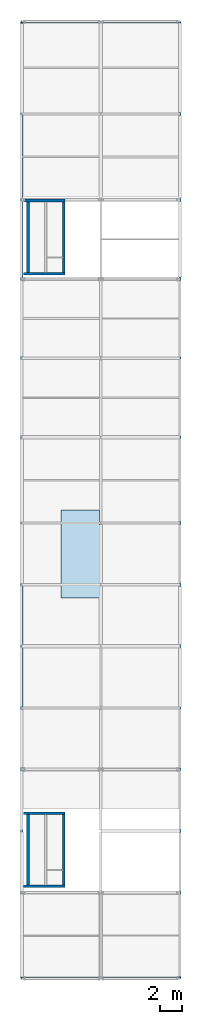
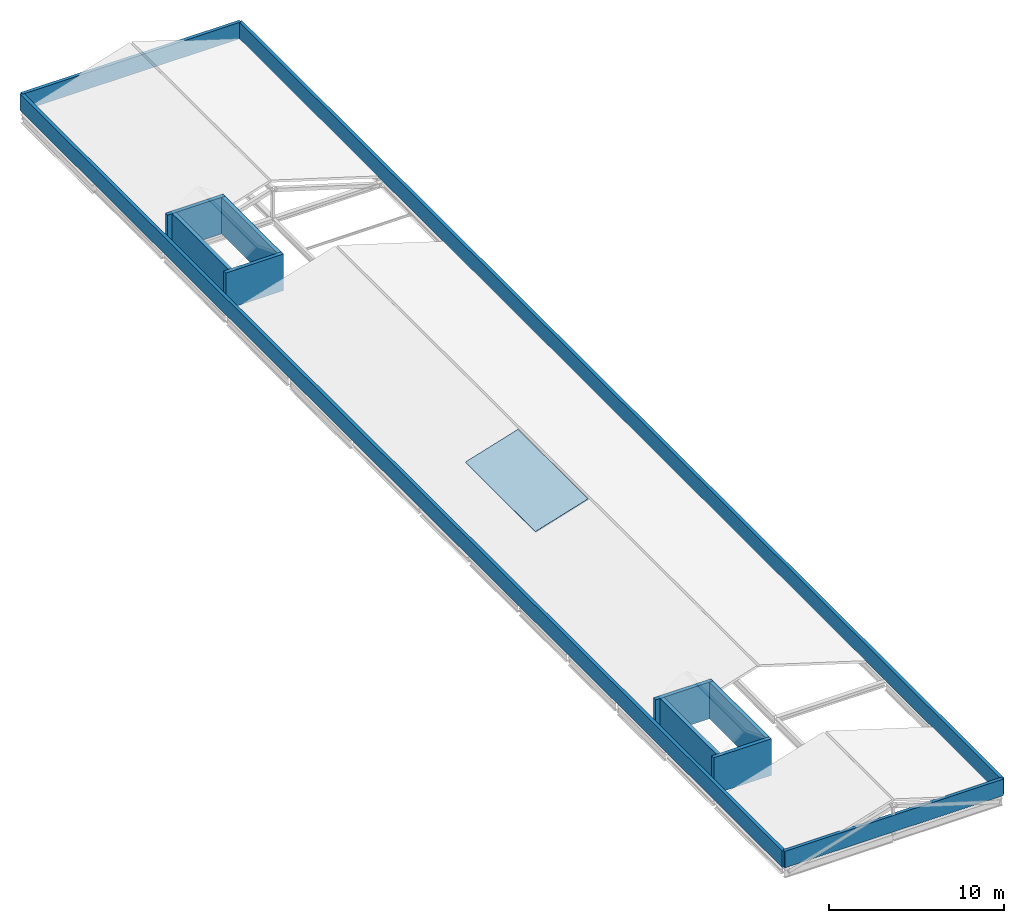
# One storey, part 8 of 9: 12 walls, 1 roof.
"""IFC4 building model written with IfcOpenShell, lengths in metres."""

import ifcopenshell
import ifcopenshell.guid

model = None  # the IFC model being written
_history = None  # IfcOwnerHistory: only IFC2X3 demands one
_inside = {}  # id of a spatial element -> (the spatial element, [elements in it])
_under = {}  # id of a project, library or spatial element -> (it, [spatial elements below it])
_declared = {}  # id of a project -> (the project, [libraries it declares])
_typed = {}  # id of a type object -> (the type object, [elements of that type])
_made_of = {}  # id of a material, layer set ... -> (it, [elements and type objects made of it])


def new_model(schema):
    """Start an empty IFC model of exactly this schema.

    Asked for "IFC4X3", IfcOpenShell would pick the latest addendum, in which some entities
    have other attributes; the version numbers below select the first issue.
    IFC2X3 requires an IfcOwnerHistory on every rooted entity: one is made here for all.
    """
    global model, _history
    if schema == "IFC4X3":
        model = ifcopenshell.file(schema_version=(4, 3, 0, 0))
    else:
        model = ifcopenshell.file(schema=schema)
    _inside.clear()
    _under.clear()
    _declared.clear()
    _typed.clear()
    _made_of.clear()
    _history = None
    if model.schema == "IFC2X3":
        org = make("IfcOrganization", Name="unknown")
        user = make(
            "IfcPersonAndOrganization",
            ThePerson=make("IfcPerson", FamilyName="unknown"),
            TheOrganization=org,
        )
        app = make(
            "IfcApplication",
            ApplicationDeveloper=org,
            Version="unknown",
            ApplicationFullName="unknown",
            ApplicationIdentifier="unknown",
        )
        _history = make(
            "IfcOwnerHistory",
            OwningUser=user,
            OwningApplication=app,
            ChangeAction="ADDED",
            CreationDate=0,
        )
    return model


def make(cls, **values):
    """One entity of the class cls with the attributes given. An attribute that is None is left unset."""
    return model.create_entity(
        cls, **{name: value for name, value in values.items() if value is not None}
    )


def rooted(cls, **values):
    """An entity with a GlobalId (a new one), such as an element, a storey or a relation."""
    return make(cls, GlobalId=ifcopenshell.guid.new(), OwnerHistory=_history, **values)


def si_unit(unit_type, name, prefix=None):
    """IfcSIUnit, for example si_unit("LENGTHUNIT", "METRE", prefix="MILLI")."""
    return make("IfcSIUnit", UnitType=unit_type, Prefix=prefix, Name=name)


def assignment(units):
    """IfcUnitAssignment: the units of a project."""
    return None if units is None else make("IfcUnitAssignment", Units=units)


def point(xyz):
    """IfcCartesianPoint."""
    return None if xyz is None else make("IfcCartesianPoint", Coordinates=xyz)


def direction(xyz):
    """IfcDirection."""
    return None if xyz is None else make("IfcDirection", DirectionRatios=xyz)


def frame(location, z_axis=None, x_axis=None):
    """IfcAxis2Placement3D, a coordinate frame: its origin and axes. An axis left out is left unset."""
    return make(
        "IfcAxis2Placement3D",
        Location=point(location),
        Axis=direction(z_axis),
        RefDirection=direction(x_axis),
    )


def frame_2d(location, x_axis=None):
    """IfcAxis2Placement2D, a coordinate frame in the plane: its origin and x axis."""
    return make(
        "IfcAxis2Placement2D", Location=point(location), RefDirection=direction(x_axis)
    )


def origin():
    """The frame at (0, 0, 0) with its axes left unset."""
    return frame((0.0, 0.0, 0.0))


def place(relative_to, where):
    """IfcLocalPlacement: puts the frame where relative to a parent placement (None: the world)."""
    return make(
        "IfcLocalPlacement", PlacementRelTo=relative_to, RelativePlacement=where
    )


def context(
    kind, dimensions, precision=None, world=None, true_north=None, identifier=None
):
    """IfcGeometricRepresentationContext, for example the 3D "Model" context."""
    return make(
        "IfcGeometricRepresentationContext",
        ContextIdentifier=identifier,
        ContextType=kind,
        CoordinateSpaceDimension=dimensions,
        Precision=precision,
        WorldCoordinateSystem=world,
        TrueNorth=true_north,
    )


def subcontext(parent, identifier, kind, view, scale=None):
    """IfcGeometricRepresentationSubContext, for example "Body" below "Model"."""
    return make(
        "IfcGeometricRepresentationSubContext",
        ContextIdentifier=identifier,
        ContextType=kind,
        ParentContext=parent,
        TargetScale=scale,
        TargetView=view,
    )


def project(units=None, contexts=None):
    """IfcProject with its units and contexts."""
    return rooted(
        "IfcProject",
        Name="project",
        RepresentationContexts=contexts,
        UnitsInContext=assignment(units),
    )


def spatial(cls, under=None, at=None, **own):
    """A site, building, storey or space (cls), placed at a placement, below another one or the project."""
    s = rooted(cls, ObjectPlacement=at, **own)
    if under is not None:
        _under.setdefault(under.id(), (under, []))[1].append(s)
    return s


def polyline(points):
    """IfcPolyline through the points."""
    return make("IfcPolyline", Points=[point(p) for p in points])


def profile(cls, at=None, kind="AREA", **sizes):
    """A parametric profile (cls). Its sizes go by their IFC names, for example OverallWidth=200.0."""
    return make(cls, ProfileType=kind, Position=at, **sizes)


def rectangle(**sizes):
    """IfcRectangleProfileDef."""
    return profile("IfcRectangleProfileDef", **sizes)


def outline(outer, holes=None, kind="AREA"):
    """IfcArbitraryClosedProfileDef: a profile drawn as a closed curve; with holes, ...WithVoids."""
    if holes is None:
        return make("IfcArbitraryClosedProfileDef", ProfileType=kind, OuterCurve=outer)
    return make(
        "IfcArbitraryProfileDefWithVoids",
        ProfileType=kind,
        OuterCurve=outer,
        InnerCurves=holes,
    )


def extrude(swept, where, along, depth):
    """IfcExtrudedAreaSolid: the profile swept, set in the frame where, extruded along a direction by depth."""
    return make(
        "IfcExtrudedAreaSolid",
        SweptArea=swept,
        Position=where,
        ExtrudedDirection=direction(along),
        Depth=depth,
    )


def shape(context_of_items, identifier, shape_type, items):
    """IfcShapeRepresentation: the items that make up one representation, for example the "Body"."""
    return make(
        "IfcShapeRepresentation",
        ContextOfItems=context_of_items,
        RepresentationIdentifier=identifier,
        RepresentationType=shape_type,
        Items=items,
    )


def material(Name=None, Category=None):
    """IfcMaterial."""
    return make("IfcMaterial", Name=Name, Category=Category)


def layer(
    of_material, thickness, ventilated=None, Name=None, Category=None, Priority=None
):
    """IfcMaterialLayer: one layer of a wall or slab, of a material (None: an air gap)."""
    return make(
        "IfcMaterialLayer",
        Material=of_material,
        LayerThickness=thickness,
        IsVentilated=ventilated,
        Name=Name,
        Category=Category,
        Priority=Priority,
    )


def layer_set(layers, Name=None):
    """IfcMaterialLayerSet."""
    return make("IfcMaterialLayerSet", MaterialLayers=layers, LayerSetName=Name)


def made_of(thing, what):
    """Note that an element or type object is made of a material, layer set ...; save() writes the relation."""
    if what is not None:
        _made_of.setdefault(what.id(), (what, []))[1].append(thing)
    return thing


def type_object(cls, material=None, **own):
    """A type object (cls), such as IfcWallType, which elements share."""
    return made_of(rooted(cls, **own), material)


def element(
    cls,
    number,
    at=None,
    inside=None,
    cuts=None,
    type_object=None,
    material=None,
    context=None,
    identifier="Body",
    shape_type=None,
    held_by="IfcProductDefinitionShape",
    body=None,
    shapes=None,
    **own,
):
    """One element of the class cls, such as IfcWall. Its Tag is "e" and its number.

    at: its placement. inside: the storey or other place that contains it. cuts: it is an
    opening in that element (IfcRelVoidsElement). A single representation is given by context,
    identifier, shape_type and body (its items); several are given by shapes. held_by: the class
    of the entity that holds the representations. save() writes the other relations.
    """
    e = rooted(cls, Tag="e%d" % number, ObjectPlacement=at, **own)
    if body is not None:
        shapes = [shape(context, identifier, shape_type, body)]
    if shapes is not None:
        e.Representation = make(held_by, Representations=shapes)
    if inside is not None:
        _inside.setdefault(inside.id(), (inside, []))[1].append(e)
    if cuts is not None:
        rooted(
            "IfcRelVoidsElement", RelatingBuildingElement=cuts, RelatedOpeningElement=e
        )
    if type_object is not None:
        _typed.setdefault(type_object.id(), (type_object, []))[1].append(e)
    return made_of(e, material)


def aggregate(whole, parts):
    """IfcRelAggregates: a whole, such as a stair, and the parts it consists of."""
    return rooted("IfcRelAggregates", RelatingObject=whole, RelatedObjects=parts)


def save(model, path):
    """Write the relations noted so far, then the file.

    IfcRelAggregates (storeys below a building ...), IfcRelContainedInSpatialStructure (elements
    in a storey), IfcRelDefinesByType, IfcRelAssociatesMaterial and IfcRelDeclares: one each for
    every whole, place, type object, material and project.
    """
    for whole, parts in _under.values():
        aggregate(whole, parts)
    for where, things in _inside.values():
        rooted(
            "IfcRelContainedInSpatialStructure",
            RelatedElements=things,
            RelatingStructure=where,
        )
    for kind, things in _typed.values():
        rooted("IfcRelDefinesByType", RelatedObjects=things, RelatingType=kind)
    for what, things in _made_of.values():
        rooted("IfcRelAssociatesMaterial", RelatedObjects=things, RelatingMaterial=what)
    for by, libraries in _declared.values():
        rooted("IfcRelDeclares", RelatingContext=by, RelatedDefinitions=libraries)
    model.write(path)


model = new_model("IFC4")

# Units and contexts
model_context = context("Model", 3, precision=1e-05, world=origin(), true_north=direction((0.0, 1.0)))
body_context = subcontext(model_context, "Body", "Model", "MODEL_VIEW")
ifc_project = project(units=[si_unit("LENGTHUNIT", "METRE"), si_unit("AREAUNIT", "SQUARE_METRE"), si_unit("VOLUMEUNIT", "CUBIC_METRE"), si_unit("PLANEANGLEUNIT", "RADIAN"), si_unit("MASSUNIT", "GRAM", prefix="KILO")], contexts=[model_context])

# Site, building, storey
site_placement = place(None, origin())
site = spatial("IfcSite", under=ifc_project, at=site_placement, CompositionType="ELEMENT")
building_placement = place(site_placement, origin())
building = spatial("IfcBuilding", under=site, at=building_placement, Name="Vinh Khe Railworks Police Headquarters", CompositionType="ELEMENT")
storey_placement = place(building_placement, frame((0.0, 0.0, 36.60009765625)))
storey = spatial("IfcBuildingStorey", under=building, at=storey_placement, Name="RF", CompositionType="ELEMENT", Elevation=36.60009765625)

# Walls
ifc_material_1 = material(Name="Concrete C40/50 (B40)", Category="concrete")
ifc_layer_1 = layer(ifc_material_1, 0.25)
ifc_layer_set_1 = layer_set([ifc_layer_1], Name="Concrete C40/50 (B40)")
wall_type_1 = type_object("IfcWallType", Name="Core Shear Wall 250", PredefinedType="SHEAR", material=ifc_layer_set_1)
for number, where, z_axis, x_axis, name in (
    (1, (0.75, 25.77490234375, 0.0), (0.0, 0.0, 1.0), (1.0, 0.0, 0.0), "Core C1 STAIR-S Shear Wall (RF)"),
    (2, (0.75, 32.425048828125, 0.0), (0.0, 0.0, 1.0), (1.0, 0.0, 0.0), "Core C1 STAIR-N Shear Wall (RF)"),
):
    element("IfcWall", number, at=place(storey_placement, frame(where, z_axis=z_axis, x_axis=x_axis)), inside=storey, type_object=wall_type_1, Name=name, PredefinedType="SHEAR", context=body_context, shape_type="SweptSolid", body=[
        extrude(rectangle(XDim=3.800048828125, YDim=0.25, at=frame_2d((1.89990234375, 0.0))), origin(), (0.0, 0.0, 1.0), 2.5498046875),
    ])
for number, where, z_axis, x_axis, name in (
    (3, (1.175048828125, 25.89990234375, 0.0), (0.0, 0.0, 1.0), (0.0, 1.0, 0.0), "Core C1 STAIR-W Shear Wall (RF)"),
    (4, (4.425048828125, 25.89990234375, 0.0), (0.0, 0.0, 1.0), (0.0, 1.0, 0.0), "Core C1 STAIR-E Shear Wall (RF)"),
):
    element("IfcWall", number, at=place(storey_placement, frame(where, z_axis=z_axis, x_axis=x_axis)), inside=storey, type_object=wall_type_1, Name=name, PredefinedType="SHEAR", context=body_context, shape_type="SweptSolid", body=[
        extrude(rectangle(XDim=6.400146484375, YDim=0.25, at=frame_2d((3.2001953125, 0.0))), origin(), (0.0, 0.0, 1.0), 2.5498046875),
    ])
for number, where, z_axis, x_axis, name in (
    (5, (0.75, 81.47509765625, 0.0), (0.0, 0.0, 1.0), (1.0, 0.0, 0.0), "Core C2 STAIR-S Shear Wall (RF)"),
    (6, (0.75, 88.125, 0.0), (0.0, 0.0, 1.0), (1.0, 0.0, 0.0), "Core C2 STAIR-N Shear Wall (RF)"),
):
    element("IfcWall", number, at=place(storey_placement, frame(where, z_axis=z_axis, x_axis=x_axis)), inside=storey, type_object=wall_type_1, Name=name, PredefinedType="SHEAR", context=body_context, shape_type="SweptSolid", body=[
        extrude(rectangle(XDim=3.800048828125, YDim=0.25, at=frame_2d((1.89990234375, 0.0))), origin(), (0.0, 0.0, 1.0), 2.5498046875),
    ])
for number, where, z_axis, x_axis, name in (
    (7, (1.175048828125, 81.60009765625, 0.0), (0.0, 0.0, 1.0), (0.0, 1.0, 0.0), "Core C2 STAIR-W Shear Wall (RF)"),
    (8, (4.425048828125, 81.60009765625, 0.0), (0.0, 0.0, 1.0), (0.0, 1.0, 0.0), "Core C2 STAIR-E Shear Wall (RF)"),
):
    element("IfcWall", number, at=place(storey_placement, frame(where, z_axis=z_axis, x_axis=x_axis)), inside=storey, type_object=wall_type_1, Name=name, PredefinedType="SHEAR", context=body_context, shape_type="SweptSolid", body=[
        extrude(rectangle(XDim=6.39990234375, YDim=0.25, at=frame_2d((3.199951171875, 0.0))), origin(), (0.0, 0.0, 1.0), 2.5498046875),
    ])
ifc_material_2 = material(Name="Precast concrete C40/50 (B40)", Category="concrete")
ifc_layer_2 = layer(ifc_material_2, 0.219970703125)
ifc_layer_set_2 = layer_set([ifc_layer_2], Name="Precast concrete C40/50 (B40)")
wall_type_2 = type_object("IfcWallType", Name="EW-PAR-220", PredefinedType="PARAPET", material=ifc_layer_set_2)
wall_1_placement = place(storey_placement, frame((0.60009765625, 17.39990234375, 0.0), z_axis=(0.0, 0.0, 1.0), x_axis=(1.0, 0.0, 0.0)))
element("IfcWall", 9, at=wall_1_placement, inside=storey, type_object=wall_type_2, Name="Roof Parapet Wall RF-08", PredefinedType="PARAPET", context=body_context, shape_type="SweptSolid", body=[
    extrude(rectangle(XDim=14.39990234375, YDim=0.219970703125, at=frame_2d((7.199951171875, 0.0))), origin(), (0.0, 0.0, 1.0), 1.14990234375),
])
wall_2_placement = place(storey_placement, frame((15.0, 17.39990234375, 0.0), z_axis=(0.0, 0.0, 1.0), x_axis=(0.0, 1.0, 0.0)))
element("IfcWall", 10, at=wall_2_placement, inside=storey, type_object=wall_type_2, Name="Roof Parapet Wall RF-09", PredefinedType="PARAPET", context=body_context, shape_type="SweptSolid", body=[
    extrude(rectangle(XDim=87.0, YDim=0.219970703125, at=frame_2d((43.5, 0.0))), origin(), (0.0, 0.0, 1.0), 1.14990234375),
])
wall_3_placement = place(storey_placement, frame((15.0, 104.39990234375, 0.0), z_axis=(0.0, 0.0, 1.0), x_axis=(-1.0, 0.0, 0.0)))
element("IfcWall", 11, at=wall_3_placement, inside=storey, type_object=wall_type_2, Name="Roof Parapet Wall RF-10", PredefinedType="PARAPET", context=body_context, shape_type="SweptSolid", body=[
    extrude(rectangle(XDim=14.39990234375, YDim=0.219970703125, at=frame_2d((7.199951171875, 0.0))), origin(), (0.0, 0.0, 1.0), 1.14990234375),
])
wall_4_placement = place(storey_placement, frame((0.60009765625, 104.39990234375, 0.0), z_axis=(0.0, 0.0, 1.0), x_axis=(0.0, -1.0, 0.0)))
element("IfcWall", 12, at=wall_4_placement, inside=storey, type_object=wall_type_2, Name="Roof Parapet Wall RF-11", PredefinedType="PARAPET", context=body_context, shape_type="SweptSolid", body=[
    extrude(rectangle(XDim=87.0, YDim=0.219970703125, at=frame_2d((43.5, 0.0))), origin(), (0.0, 0.0, 1.0), 1.14990234375),
])

# Roof
ifc_material_3 = material(Name="Steel S355JR", Category="steel")
ifc_layer_3 = layer(ifc_material_3, 0.080078125)
ifc_layer_set_3 = layer_set([ifc_layer_3], Name="Steel S355JR")
roof_type = type_object("IfcRoofType", Name="Gable Roof Ridge Cap Assembly", PredefinedType="GABLE_ROOF", material=ifc_layer_set_3)
roof_placement = place(storey_placement, frame((4.199951171875, 52.0, 1.119873046875), z_axis=(-0.293911495351, 0.0, 0.955832638541), x_axis=(0.955832638541, 0.0, 0.293911495351)))
element("IfcRoof", 13, at=roof_placement, inside=storey, type_object=roof_type, Name="V5 Top Heritage Ridge Cap", PredefinedType="GABLE_ROOF", context=body_context, shape_type="SweptSolid", body=[
    extrude(outline(polyline([(0.0, 0.0), (3.640784305148683, 0.0), (3.640784305148683, 8.0), (0.0, 8.0), (0.0, 0.0)])), origin(), (0.0, 0.0, -1.0), 0.080078125),
])

save(model, "model.ifc")
